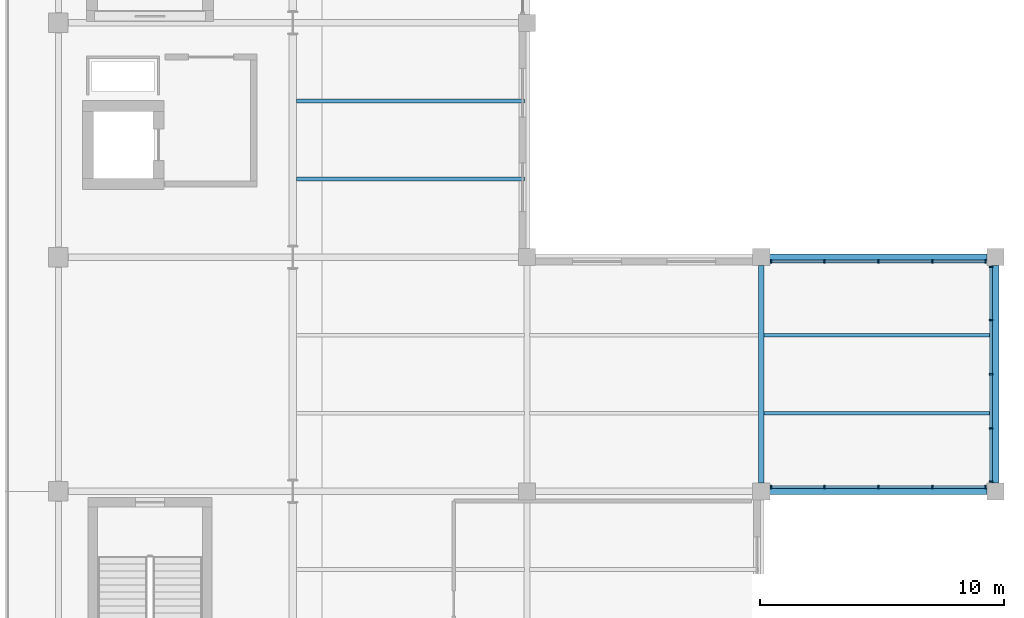
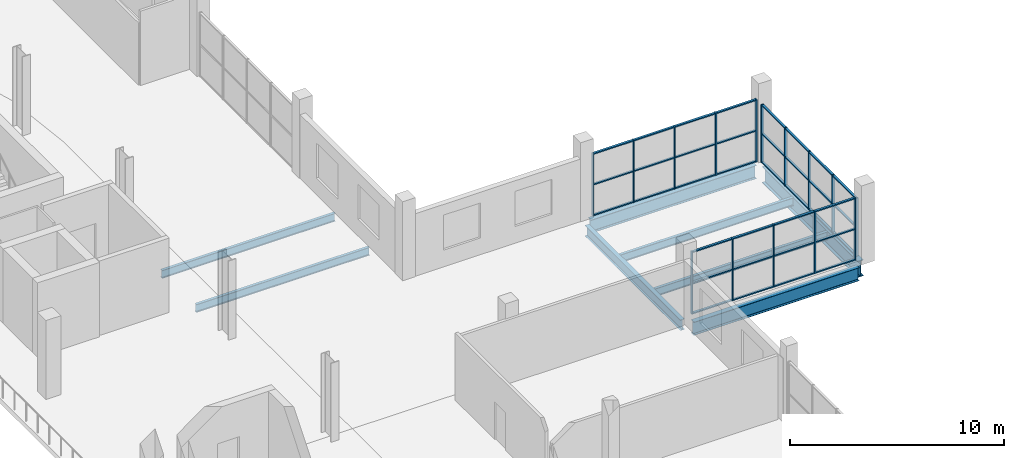
# One storey, part 24 of 75: 51 members, 8 beams, 3 elements without a shape of their own.
"""IFC4 building model written with IfcOpenShell, lengths in metres."""

import ifcopenshell
import ifcopenshell.guid

model = None  # the IFC model being written
_history = None  # IfcOwnerHistory: only IFC2X3 demands one
_inside = {}  # id of a spatial element -> (the spatial element, [elements in it])
_under = {}  # id of a project, library or spatial element -> (it, [spatial elements below it])
_declared = {}  # id of a project -> (the project, [libraries it declares])
_typed = {}  # id of a type object -> (the type object, [elements of that type])
_made_of = {}  # id of a material, layer set ... -> (it, [elements and type objects made of it])


def new_model(schema):
    """Start an empty IFC model of exactly this schema.

    Asked for "IFC4X3", IfcOpenShell would pick the latest addendum, in which some entities
    have other attributes; the version numbers below select the first issue.
    IFC2X3 requires an IfcOwnerHistory on every rooted entity: one is made here for all.
    """
    global model, _history
    if schema == "IFC4X3":
        model = ifcopenshell.file(schema_version=(4, 3, 0, 0))
    else:
        model = ifcopenshell.file(schema=schema)
    _inside.clear()
    _under.clear()
    _declared.clear()
    _typed.clear()
    _made_of.clear()
    _history = None
    if model.schema == "IFC2X3":
        org = make("IfcOrganization", Name="unknown")
        user = make(
            "IfcPersonAndOrganization",
            ThePerson=make("IfcPerson", FamilyName="unknown"),
            TheOrganization=org,
        )
        app = make(
            "IfcApplication",
            ApplicationDeveloper=org,
            Version="unknown",
            ApplicationFullName="unknown",
            ApplicationIdentifier="unknown",
        )
        _history = make(
            "IfcOwnerHistory",
            OwningUser=user,
            OwningApplication=app,
            ChangeAction="ADDED",
            CreationDate=0,
        )
    return model


def make(cls, **values):
    """One entity of the class cls with the attributes given. An attribute that is None is left unset."""
    return model.create_entity(
        cls, **{name: value for name, value in values.items() if value is not None}
    )


def rooted(cls, **values):
    """An entity with a GlobalId (a new one), such as an element, a storey or a relation."""
    return make(cls, GlobalId=ifcopenshell.guid.new(), OwnerHistory=_history, **values)


def si_unit(unit_type, name, prefix=None):
    """IfcSIUnit, for example si_unit("LENGTHUNIT", "METRE", prefix="MILLI")."""
    return make("IfcSIUnit", UnitType=unit_type, Prefix=prefix, Name=name)


def assignment(units):
    """IfcUnitAssignment: the units of a project."""
    return None if units is None else make("IfcUnitAssignment", Units=units)


def point(xyz):
    """IfcCartesianPoint."""
    return None if xyz is None else make("IfcCartesianPoint", Coordinates=xyz)


def direction(xyz):
    """IfcDirection."""
    return None if xyz is None else make("IfcDirection", DirectionRatios=xyz)


def frame(location, z_axis=None, x_axis=None):
    """IfcAxis2Placement3D, a coordinate frame: its origin and axes. An axis left out is left unset."""
    return make(
        "IfcAxis2Placement3D",
        Location=point(location),
        Axis=direction(z_axis),
        RefDirection=direction(x_axis),
    )


def frame_2d(location, x_axis=None):
    """IfcAxis2Placement2D, a coordinate frame in the plane: its origin and x axis."""
    return make(
        "IfcAxis2Placement2D", Location=point(location), RefDirection=direction(x_axis)
    )


def origin():
    """The frame at (0, 0, 0) with its axes left unset."""
    return frame((0.0, 0.0, 0.0))


def origin_2d():
    """The frame at (0, 0) in the plane with its x axis left unset."""
    return frame_2d((0.0, 0.0))


def place(relative_to, where):
    """IfcLocalPlacement: puts the frame where relative to a parent placement (None: the world)."""
    return make(
        "IfcLocalPlacement", PlacementRelTo=relative_to, RelativePlacement=where
    )


def context(
    kind, dimensions, precision=None, world=None, true_north=None, identifier=None
):
    """IfcGeometricRepresentationContext, for example the 3D "Model" context."""
    return make(
        "IfcGeometricRepresentationContext",
        ContextIdentifier=identifier,
        ContextType=kind,
        CoordinateSpaceDimension=dimensions,
        Precision=precision,
        WorldCoordinateSystem=world,
        TrueNorth=true_north,
    )


def subcontext(parent, identifier, kind, view, scale=None):
    """IfcGeometricRepresentationSubContext, for example "Body" below "Model"."""
    return make(
        "IfcGeometricRepresentationSubContext",
        ContextIdentifier=identifier,
        ContextType=kind,
        ParentContext=parent,
        TargetScale=scale,
        TargetView=view,
    )


def project(units=None, contexts=None):
    """IfcProject with its units and contexts."""
    return rooted(
        "IfcProject",
        Name="project",
        RepresentationContexts=contexts,
        UnitsInContext=assignment(units),
    )


def spatial(cls, under=None, at=None, **own):
    """A site, building, storey or space (cls), placed at a placement, below another one or the project."""
    s = rooted(cls, ObjectPlacement=at, **own)
    if under is not None:
        _under.setdefault(under.id(), (under, []))[1].append(s)
    return s


def profile(cls, at=None, kind="AREA", **sizes):
    """A parametric profile (cls). Its sizes go by their IFC names, for example OverallWidth=200.0."""
    return make(cls, ProfileType=kind, Position=at, **sizes)


def rectangle(**sizes):
    """IfcRectangleProfileDef."""
    return profile("IfcRectangleProfileDef", **sizes)


def i_section(**sizes):
    """IfcIShapeProfileDef."""
    return profile("IfcIShapeProfileDef", **sizes)


def extrude(swept, where, along, depth):
    """IfcExtrudedAreaSolid: the profile swept, set in the frame where, extruded along a direction by depth."""
    return make(
        "IfcExtrudedAreaSolid",
        SweptArea=swept,
        Position=where,
        ExtrudedDirection=direction(along),
        Depth=depth,
    )


def shape(context_of_items, identifier, shape_type, items):
    """IfcShapeRepresentation: the items that make up one representation, for example the "Body"."""
    return make(
        "IfcShapeRepresentation",
        ContextOfItems=context_of_items,
        RepresentationIdentifier=identifier,
        RepresentationType=shape_type,
        Items=items,
    )


def material(Name=None, Category=None):
    """IfcMaterial."""
    return make("IfcMaterial", Name=Name, Category=Category)


def layer(
    of_material, thickness, ventilated=None, Name=None, Category=None, Priority=None
):
    """IfcMaterialLayer: one layer of a wall or slab, of a material (None: an air gap)."""
    return make(
        "IfcMaterialLayer",
        Material=of_material,
        LayerThickness=thickness,
        IsVentilated=ventilated,
        Name=Name,
        Category=Category,
        Priority=Priority,
    )


def layer_set(layers, Name=None):
    """IfcMaterialLayerSet."""
    return make("IfcMaterialLayerSet", MaterialLayers=layers, LayerSetName=Name)


def material_profile(
    of_material, cross_section, Name=None, Category=None, Priority=None
):
    """IfcMaterialProfile: a cross section and its material."""
    return make(
        "IfcMaterialProfile",
        Name=Name,
        Material=of_material,
        Profile=cross_section,
        Priority=Priority,
        Category=Category,
    )


def profile_set(profiles, Name=None, composite=None):
    """IfcMaterialProfileSet."""
    return make(
        "IfcMaterialProfileSet",
        Name=Name,
        MaterialProfiles=profiles,
        CompositeProfile=composite,
    )


def made_of(thing, what):
    """Note that an element or type object is made of a material, layer set ...; save() writes the relation."""
    if what is not None:
        _made_of.setdefault(what.id(), (what, []))[1].append(thing)
    return thing


def type_object(cls, material=None, **own):
    """A type object (cls), such as IfcWallType, which elements share."""
    return made_of(rooted(cls, **own), material)


def element(
    cls,
    number,
    at=None,
    inside=None,
    cuts=None,
    type_object=None,
    material=None,
    context=None,
    identifier="Body",
    shape_type=None,
    held_by="IfcProductDefinitionShape",
    body=None,
    shapes=None,
    **own,
):
    """One element of the class cls, such as IfcWall. Its Tag is "e" and its number.

    at: its placement. inside: the storey or other place that contains it. cuts: it is an
    opening in that element (IfcRelVoidsElement). A single representation is given by context,
    identifier, shape_type and body (its items); several are given by shapes. held_by: the class
    of the entity that holds the representations. save() writes the other relations.
    """
    e = rooted(cls, Tag="e%d" % number, ObjectPlacement=at, **own)
    if body is not None:
        shapes = [shape(context, identifier, shape_type, body)]
    if shapes is not None:
        e.Representation = make(held_by, Representations=shapes)
    if inside is not None:
        _inside.setdefault(inside.id(), (inside, []))[1].append(e)
    if cuts is not None:
        rooted(
            "IfcRelVoidsElement", RelatingBuildingElement=cuts, RelatedOpeningElement=e
        )
    if type_object is not None:
        _typed.setdefault(type_object.id(), (type_object, []))[1].append(e)
    return made_of(e, material)


def aggregate(whole, parts):
    """IfcRelAggregates: a whole, such as a stair, and the parts it consists of."""
    return rooted("IfcRelAggregates", RelatingObject=whole, RelatedObjects=parts)


def save(model, path):
    """Write the relations noted so far, then the file.

    IfcRelAggregates (storeys below a building ...), IfcRelContainedInSpatialStructure (elements
    in a storey), IfcRelDefinesByType, IfcRelAssociatesMaterial and IfcRelDeclares: one each for
    every whole, place, type object, material and project.
    """
    for whole, parts in _under.values():
        aggregate(whole, parts)
    for where, things in _inside.values():
        rooted(
            "IfcRelContainedInSpatialStructure",
            RelatedElements=things,
            RelatingStructure=where,
        )
    for kind, things in _typed.values():
        rooted("IfcRelDefinesByType", RelatedObjects=things, RelatingType=kind)
    for what, things in _made_of.values():
        rooted("IfcRelAssociatesMaterial", RelatedObjects=things, RelatingMaterial=what)
    for by, libraries in _declared.values():
        rooted("IfcRelDeclares", RelatingContext=by, RelatedDefinitions=libraries)
    model.write(path)


model = new_model("IFC4")

# Units and contexts
model_context = context("Model", 3, precision=1e-05, world=origin(), true_north=direction((0.0, 1.0)))
body_context = subcontext(model_context, "Body", "Model", "MODEL_VIEW")
ifc_project = project(units=[si_unit("LENGTHUNIT", "METRE"), si_unit("AREAUNIT", "SQUARE_METRE"), si_unit("VOLUMEUNIT", "CUBIC_METRE"), si_unit("PLANEANGLEUNIT", "RADIAN"), si_unit("MASSUNIT", "GRAM", prefix="KILO")], contexts=[model_context])

# Site, building, storey
site_placement = place(None, origin())
site = spatial("IfcSite", under=ifc_project, at=site_placement, CompositionType="ELEMENT")
building_placement = place(site_placement, origin())
building = spatial("IfcBuilding", under=site, at=building_placement, Name="Caelomonte Colonnade Arena", CompositionType="ELEMENT")
storey_placement = place(building_placement, frame((0.0, 0.0, 14.10009765625)))
storey = spatial("IfcBuildingStorey", under=building, at=storey_placement, Name="L03", CompositionType="ELEMENT", Elevation=14.10009765625)

# Curtain wall, members
ifc_material_1 = material(Name="Bronze anodised aluminium and low-E glazing", Category="aluminium")
ifc_layer_1 = layer(ifc_material_1, 0.179931640625)
ifc_layer_set_1 = layer_set([ifc_layer_1], Name="Bronze anodised aluminium and low-E glazing")
curtain_wall_type_1 = type_object("IfcCurtainWallType", Name="ENV-CW-CW-L03-96-36", PredefinedType="USERDEFINED", material=ifc_layer_set_1)
curtain_wall_1_placement = place(storey_placement, origin())
curtain_wall_1 = element("IfcCurtainWall", 1, at=curtain_wall_1_placement, inside=storey, type_object=curtain_wall_type_1, Name="L03 unitized curtain wall CW-L03-1872-0674", ObjectType="UNITIZED CURTAIN WALL", PredefinedType="USERDEFINED")
ifc_material_2 = material(Name="Bronze anodised aluminium AA6063-T6", Category="aluminium")
ifc_material_profile_1 = material_profile(ifc_material_2, rectangle(XDim=0.06494140625, YDim=0.14990234375, at=origin_2d()), Name="CWM-65X150")
ifc_profile_set_1 = profile_set([ifc_material_profile_1], Name="Bronze anodised aluminium AA6063-T6")
member_type_1 = type_object("IfcMemberType", Name="ENV-CW-MULL2", PredefinedType="MULLION", material=ifc_profile_set_1)
member_1_placement = place(storey_placement, frame((182.802490234375, 67.3798828125, 0.0), z_axis=(0.0, 0.0, 1.0), x_axis=(1.0, 0.0, 0.0)))
member_1 = element("IfcMember", 2, at=member_1_placement, type_object=member_type_1, Name="CW-L03-96-36 mullion 1", PredefinedType="MULLION", context=body_context, shape_type="SweptSolid", body=[
    extrude(rectangle(XDim=0.06494140625, YDim=0.14990234375, at=origin_2d()), origin(), (0.0, 0.0, 1.0), 3.556396484375),
])
member_2_placement = place(storey_placement, frame((184.985107421875, 67.3798828125, 0.0), z_axis=(0.0, 0.0, 1.0), x_axis=(1.0, 0.0, 0.0)))
member_2 = element("IfcMember", 3, at=member_2_placement, type_object=member_type_1, Name="CW-L03-96-36 mullion 2", PredefinedType="MULLION", context=body_context, shape_type="SweptSolid", body=[
    extrude(rectangle(XDim=0.06494140625, YDim=0.14990234375, at=origin_2d()), origin(), (0.0, 0.0, 1.0), 3.556396484375),
])
member_3_placement = place(storey_placement, frame((187.199951171875, 67.3798828125, 0.0), z_axis=(0.0, 0.0, 1.0), x_axis=(1.0, 0.0, 0.0)))
member_3 = element("IfcMember", 4, at=member_3_placement, type_object=member_type_1, Name="CW-L03-96-36 mullion 3", PredefinedType="MULLION", context=body_context, shape_type="SweptSolid", body=[
    extrude(rectangle(XDim=0.06494140625, YDim=0.14990234375, at=origin_2d()), origin(), (0.0, 0.0, 1.0), 3.556396484375),
])
member_4_placement = place(storey_placement, frame((189.4150390625, 67.3798828125, 0.0), z_axis=(0.0, 0.0, 1.0), x_axis=(1.0, 0.0, 0.0)))
member_4 = element("IfcMember", 5, at=member_4_placement, type_object=member_type_1, Name="CW-L03-96-36 mullion 4", PredefinedType="MULLION", context=body_context, shape_type="SweptSolid", body=[
    extrude(rectangle(XDim=0.06494140625, YDim=0.14990234375, at=origin_2d()), origin(), (0.0, 0.0, 1.0), 3.556396484375),
])
member_5_placement = place(storey_placement, frame((191.597412109375, 67.3798828125, 0.0), z_axis=(0.0, 0.0, 1.0), x_axis=(1.0, 0.0, 0.0)))
member_5 = element("IfcMember", 6, at=member_5_placement, type_object=member_type_1, Name="CW-L03-96-36 mullion 5", PredefinedType="MULLION", context=body_context, shape_type="SweptSolid", body=[
    extrude(rectangle(XDim=0.06494140625, YDim=0.14990234375, at=origin_2d()), origin(), (0.0, 0.0, 1.0), 3.556396484375),
])

ifc_layer_2 = layer(ifc_material_1, 0.179931640625)
ifc_layer_set_2 = layer_set([ifc_layer_2], Name="Bronze anodised aluminium and low-E glazing")
curtain_wall_type_2 = type_object("IfcCurtainWallType", Name="ENV-CW-CW-L03-96-33", PredefinedType="USERDEFINED", material=ifc_layer_set_2)
curtain_wall_2_placement = place(storey_placement, origin())
curtain_wall_2 = element("IfcCurtainWall", 7, at=curtain_wall_2_placement, inside=storey, type_object=curtain_wall_type_2, Name="L03 unitized curtain wall CW-L03-1918-0720", ObjectType="UNITIZED CURTAIN WALL", PredefinedType="USERDEFINED")
member_6_placement = place(storey_placement, frame((191.820068359375, 67.6025390625, 0.0), z_axis=(0.0, 0.0, 1.0), x_axis=(0.0, 1.0, 0.0)))
member_6 = element("IfcMember", 8, at=member_6_placement, type_object=member_type_1, Name="CW-L03-96-33 mullion 1", PredefinedType="MULLION", context=body_context, shape_type="SweptSolid", body=[
    extrude(rectangle(XDim=0.06494140625, YDim=0.14990234375, at=origin_2d()), origin(), (0.0, 0.0, 1.0), 3.312744140625),
])
member_7_placement = place(storey_placement, frame((191.820068359375, 69.784912109375, 0.0), z_axis=(0.0, 0.0, 1.0), x_axis=(0.0, 1.0, 0.0)))
member_7 = element("IfcMember", 9, at=member_7_placement, type_object=member_type_1, Name="CW-L03-96-33 mullion 2", PredefinedType="MULLION", context=body_context, shape_type="SweptSolid", body=[
    extrude(rectangle(XDim=0.06494140625, YDim=0.14990234375, at=origin_2d()), origin(), (0.0, 0.0, 1.0), 3.312744140625),
])
member_8_placement = place(storey_placement, frame((191.820068359375, 72.0, 0.0), z_axis=(0.0, 0.0, 1.0), x_axis=(0.0, 1.0, 0.0)))
member_8 = element("IfcMember", 10, at=member_8_placement, type_object=member_type_1, Name="CW-L03-96-33 mullion 3", PredefinedType="MULLION", context=body_context, shape_type="SweptSolid", body=[
    extrude(rectangle(XDim=0.06494140625, YDim=0.14990234375, at=origin_2d()), origin(), (0.0, 0.0, 1.0), 3.312744140625),
])
member_9_placement = place(storey_placement, frame((191.820068359375, 74.215087890625, 0.0), z_axis=(0.0, 0.0, 1.0), x_axis=(0.0, 1.0, 0.0)))
member_9 = element("IfcMember", 11, at=member_9_placement, type_object=member_type_1, Name="CW-L03-96-33 mullion 4", PredefinedType="MULLION", context=body_context, shape_type="SweptSolid", body=[
    extrude(rectangle(XDim=0.06494140625, YDim=0.14990234375, at=origin_2d()), origin(), (0.0, 0.0, 1.0), 3.312744140625),
])
member_10_placement = place(storey_placement, frame((191.820068359375, 76.3974609375, 0.0), z_axis=(0.0, 0.0, 1.0), x_axis=(0.0, 1.0, 0.0)))
member_10 = element("IfcMember", 12, at=member_10_placement, type_object=member_type_1, Name="CW-L03-96-33 mullion 5", PredefinedType="MULLION", context=body_context, shape_type="SweptSolid", body=[
    extrude(rectangle(XDim=0.06494140625, YDim=0.14990234375, at=origin_2d()), origin(), (0.0, 0.0, 1.0), 3.312744140625),
])

curtain_wall_3_placement = place(storey_placement, origin())
curtain_wall_3 = element("IfcCurtainWall", 13, at=curtain_wall_3_placement, inside=storey, type_object=curtain_wall_type_1, Name="L03 unitized curtain wall CW-L03-1872-0766", ObjectType="UNITIZED CURTAIN WALL", PredefinedType="USERDEFINED")
member_11_placement = place(storey_placement, frame((191.597412109375, 76.6201171875, 0.0), z_axis=(0.0, 0.0, 1.0), x_axis=(-1.0, 0.0, 0.0)))
member_11 = element("IfcMember", 14, at=member_11_placement, type_object=member_type_1, Name="CW-L03-96-36 mullion 1", PredefinedType="MULLION", context=body_context, shape_type="SweptSolid", body=[
    extrude(rectangle(XDim=0.06494140625, YDim=0.14990234375, at=origin_2d()), origin(), (0.0, 0.0, 1.0), 3.556396484375),
])
member_12_placement = place(storey_placement, frame((189.4150390625, 76.6201171875, 0.0), z_axis=(0.0, 0.0, 1.0), x_axis=(-1.0, 0.0, 0.0)))
member_12 = element("IfcMember", 15, at=member_12_placement, type_object=member_type_1, Name="CW-L03-96-36 mullion 2", PredefinedType="MULLION", context=body_context, shape_type="SweptSolid", body=[
    extrude(rectangle(XDim=0.06494140625, YDim=0.14990234375, at=origin_2d()), origin(), (0.0, 0.0, 1.0), 3.556396484375),
])
member_13_placement = place(storey_placement, frame((187.199951171875, 76.6201171875, 0.0), z_axis=(0.0, 0.0, 1.0), x_axis=(-1.0, 0.0, 0.0)))
member_13 = element("IfcMember", 16, at=member_13_placement, type_object=member_type_1, Name="CW-L03-96-36 mullion 3", PredefinedType="MULLION", context=body_context, shape_type="SweptSolid", body=[
    extrude(rectangle(XDim=0.06494140625, YDim=0.14990234375, at=origin_2d()), origin(), (0.0, 0.0, 1.0), 3.556396484375),
])
member_14_placement = place(storey_placement, frame((184.985107421875, 76.6201171875, 0.0), z_axis=(0.0, 0.0, 1.0), x_axis=(-1.0, 0.0, 0.0)))
member_14 = element("IfcMember", 17, at=member_14_placement, type_object=member_type_1, Name="CW-L03-96-36 mullion 4", PredefinedType="MULLION", context=body_context, shape_type="SweptSolid", body=[
    extrude(rectangle(XDim=0.06494140625, YDim=0.14990234375, at=origin_2d()), origin(), (0.0, 0.0, 1.0), 3.556396484375),
])
member_15_placement = place(storey_placement, frame((182.802490234375, 76.6201171875, 0.0), z_axis=(0.0, 0.0, 1.0), x_axis=(-1.0, 0.0, 0.0)))
member_15 = element("IfcMember", 18, at=member_15_placement, type_object=member_type_1, Name="CW-L03-96-36 mullion 5", PredefinedType="MULLION", context=body_context, shape_type="SweptSolid", body=[
    extrude(rectangle(XDim=0.06494140625, YDim=0.14990234375, at=origin_2d()), origin(), (0.0, 0.0, 1.0), 3.556396484375),
])

# Member
ifc_material_profile_2 = material_profile(ifc_material_2, rectangle(XDim=0.06494140625, YDim=0.1201171875, at=origin_2d()), Name="CWT-65X120")
ifc_profile_set_2 = profile_set([ifc_material_profile_2], Name="Bronze anodised aluminium AA6063-T6")
member_type_2 = type_object("IfcMemberType", Name="ENV-CW-TRAN2", PredefinedType="USERDEFINED", material=ifc_profile_set_2)
member_16_placement = place(storey_placement, frame((182.8349609375, 67.3798828125, 0.032470703125), z_axis=(1.0, 0.0, 0.0), x_axis=(0.0, 0.0, 1.0)))
member_16 = element("IfcMember", 19, at=member_16_placement, type_object=member_type_2, Name="CW-L03-96-36 transom 1.1", ObjectType="TRANSOM", PredefinedType="USERDEFINED", context=body_context, shape_type="SweptSolid", body=[
    extrude(rectangle(XDim=0.06494140625, YDim=0.1201171875, at=origin_2d()), origin(), (0.0, 0.0, 1.0), 2.117431640625),
])

member_17_placement = place(storey_placement, frame((182.8349609375, 67.3798828125, 1.7783203125), z_axis=(1.0, 0.0, 0.0), x_axis=(0.0, 0.0, 1.0)))
member_17 = element("IfcMember", 20, at=member_17_placement, type_object=member_type_2, Name="CW-L03-96-36 transom 1.2", ObjectType="TRANSOM", PredefinedType="USERDEFINED", context=body_context, shape_type="SweptSolid", body=[
    extrude(rectangle(XDim=0.06494140625, YDim=0.1201171875, at=origin_2d()), origin(), (0.0, 0.0, 1.0), 2.117431640625),
])

member_18_placement = place(storey_placement, frame((182.8349609375, 67.3798828125, 3.52392578125), z_axis=(1.0, 0.0, 0.0), x_axis=(0.0, 0.0, 1.0)))
member_18 = element("IfcMember", 21, at=member_18_placement, type_object=member_type_2, Name="CW-L03-96-36 transom 1.3", ObjectType="TRANSOM", PredefinedType="USERDEFINED", context=body_context, shape_type="SweptSolid", body=[
    extrude(rectangle(XDim=0.06494140625, YDim=0.1201171875, at=origin_2d()), origin(), (0.0, 0.0, 1.0), 2.117431640625),
])

member_19_placement = place(storey_placement, frame((185.017578125, 67.3798828125, 0.032470703125), z_axis=(1.0, 0.0, 0.0), x_axis=(0.0, 0.0, 1.0)))
member_19 = element("IfcMember", 22, at=member_19_placement, type_object=member_type_2, Name="CW-L03-96-36 transom 2.1", ObjectType="TRANSOM", PredefinedType="USERDEFINED", context=body_context, shape_type="SweptSolid", body=[
    extrude(rectangle(XDim=0.06494140625, YDim=0.1201171875, at=origin_2d()), origin(), (0.0, 0.0, 1.0), 2.14990234375),
])

member_20_placement = place(storey_placement, frame((185.017578125, 67.3798828125, 1.7783203125), z_axis=(1.0, 0.0, 0.0), x_axis=(0.0, 0.0, 1.0)))
member_20 = element("IfcMember", 23, at=member_20_placement, type_object=member_type_2, Name="CW-L03-96-36 transom 2.2", ObjectType="TRANSOM", PredefinedType="USERDEFINED", context=body_context, shape_type="SweptSolid", body=[
    extrude(rectangle(XDim=0.06494140625, YDim=0.1201171875, at=origin_2d()), origin(), (0.0, 0.0, 1.0), 2.14990234375),
])

member_21_placement = place(storey_placement, frame((185.017578125, 67.3798828125, 3.52392578125), z_axis=(1.0, 0.0, 0.0), x_axis=(0.0, 0.0, 1.0)))
member_21 = element("IfcMember", 24, at=member_21_placement, type_object=member_type_2, Name="CW-L03-96-36 transom 2.3", ObjectType="TRANSOM", PredefinedType="USERDEFINED", context=body_context, shape_type="SweptSolid", body=[
    extrude(rectangle(XDim=0.06494140625, YDim=0.1201171875, at=origin_2d()), origin(), (0.0, 0.0, 1.0), 2.14990234375),
])

member_22_placement = place(storey_placement, frame((187.232421875, 67.3798828125, 0.032470703125), z_axis=(1.0, 0.0, 0.0), x_axis=(0.0, 0.0, 1.0)))
member_22 = element("IfcMember", 25, at=member_22_placement, type_object=member_type_2, Name="CW-L03-96-36 transom 3.1", ObjectType="TRANSOM", PredefinedType="USERDEFINED", context=body_context, shape_type="SweptSolid", body=[
    extrude(rectangle(XDim=0.06494140625, YDim=0.1201171875, at=origin_2d()), origin(), (0.0, 0.0, 1.0), 2.150146484375),
])

member_23_placement = place(storey_placement, frame((187.232421875, 67.3798828125, 1.7783203125), z_axis=(1.0, 0.0, 0.0), x_axis=(0.0, 0.0, 1.0)))
member_23 = element("IfcMember", 26, at=member_23_placement, type_object=member_type_2, Name="CW-L03-96-36 transom 3.2", ObjectType="TRANSOM", PredefinedType="USERDEFINED", context=body_context, shape_type="SweptSolid", body=[
    extrude(rectangle(XDim=0.06494140625, YDim=0.1201171875, at=origin_2d()), origin(), (0.0, 0.0, 1.0), 2.150146484375),
])

member_24_placement = place(storey_placement, frame((187.232421875, 67.3798828125, 3.52392578125), z_axis=(1.0, 0.0, 0.0), x_axis=(0.0, 0.0, 1.0)))
member_24 = element("IfcMember", 27, at=member_24_placement, type_object=member_type_2, Name="CW-L03-96-36 transom 3.3", ObjectType="TRANSOM", PredefinedType="USERDEFINED", context=body_context, shape_type="SweptSolid", body=[
    extrude(rectangle(XDim=0.06494140625, YDim=0.1201171875, at=origin_2d()), origin(), (0.0, 0.0, 1.0), 2.150146484375),
])

member_25_placement = place(storey_placement, frame((189.447509765625, 67.3798828125, 0.032470703125), z_axis=(1.0, 0.0, 0.0), x_axis=(0.0, 0.0, 1.0)))
member_25 = element("IfcMember", 28, at=member_25_placement, type_object=member_type_2, Name="CW-L03-96-36 transom 4.1", ObjectType="TRANSOM", PredefinedType="USERDEFINED", context=body_context, shape_type="SweptSolid", body=[
    extrude(rectangle(XDim=0.06494140625, YDim=0.1201171875, at=origin_2d()), origin(), (0.0, 0.0, 1.0), 2.117431640625),
])

member_26_placement = place(storey_placement, frame((189.447509765625, 67.3798828125, 1.7783203125), z_axis=(1.0, 0.0, 0.0), x_axis=(0.0, 0.0, 1.0)))
member_26 = element("IfcMember", 29, at=member_26_placement, type_object=member_type_2, Name="CW-L03-96-36 transom 4.2", ObjectType="TRANSOM", PredefinedType="USERDEFINED", context=body_context, shape_type="SweptSolid", body=[
    extrude(rectangle(XDim=0.06494140625, YDim=0.1201171875, at=origin_2d()), origin(), (0.0, 0.0, 1.0), 2.117431640625),
])

member_27_placement = place(storey_placement, frame((189.447509765625, 67.3798828125, 3.52392578125), z_axis=(1.0, 0.0, 0.0), x_axis=(0.0, 0.0, 1.0)))
member_27 = element("IfcMember", 30, at=member_27_placement, type_object=member_type_2, Name="CW-L03-96-36 transom 4.3", ObjectType="TRANSOM", PredefinedType="USERDEFINED", context=body_context, shape_type="SweptSolid", body=[
    extrude(rectangle(XDim=0.06494140625, YDim=0.1201171875, at=origin_2d()), origin(), (0.0, 0.0, 1.0), 2.117431640625),
])

aggregate(curtain_wall_1, [member_1, member_2, member_3, member_4, member_5, member_16, member_17, member_18, member_19, member_20, member_21, member_22, member_23, member_24, member_25, member_26, member_27])

member_28_placement = place(storey_placement, frame((191.820068359375, 67.635009765625, 0.032470703125), z_axis=(0.0, 1.0, 0.0), x_axis=(0.0, 0.0, 1.0)))
member_28 = element("IfcMember", 31, at=member_28_placement, type_object=member_type_2, Name="CW-L03-96-33 transom 1.1", ObjectType="TRANSOM", PredefinedType="USERDEFINED", context=body_context, shape_type="SweptSolid", body=[
    extrude(rectangle(XDim=0.06494140625, YDim=0.1201171875, at=origin_2d()), origin(), (0.0, 0.0, 1.0), 2.117431640625),
])

member_29_placement = place(storey_placement, frame((191.820068359375, 67.635009765625, 1.65625), z_axis=(0.0, 1.0, 0.0), x_axis=(0.0, 0.0, 1.0)))
member_29 = element("IfcMember", 32, at=member_29_placement, type_object=member_type_2, Name="CW-L03-96-33 transom 1.2", ObjectType="TRANSOM", PredefinedType="USERDEFINED", context=body_context, shape_type="SweptSolid", body=[
    extrude(rectangle(XDim=0.06494140625, YDim=0.1201171875, at=origin_2d()), origin(), (0.0, 0.0, 1.0), 2.117431640625),
])

member_30_placement = place(storey_placement, frame((191.820068359375, 67.635009765625, 3.2802734375), z_axis=(0.0, 1.0, 0.0), x_axis=(0.0, 0.0, 1.0)))
member_30 = element("IfcMember", 33, at=member_30_placement, type_object=member_type_2, Name="CW-L03-96-33 transom 1.3", ObjectType="TRANSOM", PredefinedType="USERDEFINED", context=body_context, shape_type="SweptSolid", body=[
    extrude(rectangle(XDim=0.06494140625, YDim=0.1201171875, at=origin_2d()), origin(), (0.0, 0.0, 1.0), 2.117431640625),
])

member_31_placement = place(storey_placement, frame((191.820068359375, 69.8173828125, 0.032470703125), z_axis=(0.0, 1.0, 0.0), x_axis=(0.0, 0.0, 1.0)))
member_31 = element("IfcMember", 34, at=member_31_placement, type_object=member_type_2, Name="CW-L03-96-33 transom 2.1", ObjectType="TRANSOM", PredefinedType="USERDEFINED", context=body_context, shape_type="SweptSolid", body=[
    extrude(rectangle(XDim=0.06494140625, YDim=0.1201171875, at=origin_2d()), origin(), (0.0, 0.0, 1.0), 2.150146484375),
])

member_32_placement = place(storey_placement, frame((191.820068359375, 69.8173828125, 1.65625), z_axis=(0.0, 1.0, 0.0), x_axis=(0.0, 0.0, 1.0)))
member_32 = element("IfcMember", 35, at=member_32_placement, type_object=member_type_2, Name="CW-L03-96-33 transom 2.2", ObjectType="TRANSOM", PredefinedType="USERDEFINED", context=body_context, shape_type="SweptSolid", body=[
    extrude(rectangle(XDim=0.06494140625, YDim=0.1201171875, at=origin_2d()), origin(), (0.0, 0.0, 1.0), 2.150146484375),
])

member_33_placement = place(storey_placement, frame((191.820068359375, 69.8173828125, 3.2802734375), z_axis=(0.0, 1.0, 0.0), x_axis=(0.0, 0.0, 1.0)))
member_33 = element("IfcMember", 36, at=member_33_placement, type_object=member_type_2, Name="CW-L03-96-33 transom 2.3", ObjectType="TRANSOM", PredefinedType="USERDEFINED", context=body_context, shape_type="SweptSolid", body=[
    extrude(rectangle(XDim=0.06494140625, YDim=0.1201171875, at=origin_2d()), origin(), (0.0, 0.0, 1.0), 2.150146484375),
])

member_34_placement = place(storey_placement, frame((191.820068359375, 72.032470703125, 0.032470703125), z_axis=(0.0, 1.0, 0.0), x_axis=(0.0, 0.0, 1.0)))
member_34 = element("IfcMember", 37, at=member_34_placement, type_object=member_type_2, Name="CW-L03-96-33 transom 3.1", ObjectType="TRANSOM", PredefinedType="USERDEFINED", context=body_context, shape_type="SweptSolid", body=[
    extrude(rectangle(XDim=0.06494140625, YDim=0.1201171875, at=origin_2d()), origin(), (0.0, 0.0, 1.0), 2.150146484375),
])

member_35_placement = place(storey_placement, frame((191.820068359375, 72.032470703125, 1.65625), z_axis=(0.0, 1.0, 0.0), x_axis=(0.0, 0.0, 1.0)))
member_35 = element("IfcMember", 38, at=member_35_placement, type_object=member_type_2, Name="CW-L03-96-33 transom 3.2", ObjectType="TRANSOM", PredefinedType="USERDEFINED", context=body_context, shape_type="SweptSolid", body=[
    extrude(rectangle(XDim=0.06494140625, YDim=0.1201171875, at=origin_2d()), origin(), (0.0, 0.0, 1.0), 2.150146484375),
])

member_36_placement = place(storey_placement, frame((191.820068359375, 72.032470703125, 3.2802734375), z_axis=(0.0, 1.0, 0.0), x_axis=(0.0, 0.0, 1.0)))
member_36 = element("IfcMember", 39, at=member_36_placement, type_object=member_type_2, Name="CW-L03-96-33 transom 3.3", ObjectType="TRANSOM", PredefinedType="USERDEFINED", context=body_context, shape_type="SweptSolid", body=[
    extrude(rectangle(XDim=0.06494140625, YDim=0.1201171875, at=origin_2d()), origin(), (0.0, 0.0, 1.0), 2.150146484375),
])

member_37_placement = place(storey_placement, frame((191.820068359375, 74.24755859375, 0.032470703125), z_axis=(0.0, 1.0, 0.0), x_axis=(0.0, 0.0, 1.0)))
member_37 = element("IfcMember", 40, at=member_37_placement, type_object=member_type_2, Name="CW-L03-96-33 transom 4.1", ObjectType="TRANSOM", PredefinedType="USERDEFINED", context=body_context, shape_type="SweptSolid", body=[
    extrude(rectangle(XDim=0.06494140625, YDim=0.1201171875, at=origin_2d()), origin(), (0.0, 0.0, 1.0), 2.117431640625),
])

member_38_placement = place(storey_placement, frame((191.820068359375, 74.24755859375, 1.65625), z_axis=(0.0, 1.0, 0.0), x_axis=(0.0, 0.0, 1.0)))
member_38 = element("IfcMember", 41, at=member_38_placement, type_object=member_type_2, Name="CW-L03-96-33 transom 4.2", ObjectType="TRANSOM", PredefinedType="USERDEFINED", context=body_context, shape_type="SweptSolid", body=[
    extrude(rectangle(XDim=0.06494140625, YDim=0.1201171875, at=origin_2d()), origin(), (0.0, 0.0, 1.0), 2.117431640625),
])

member_39_placement = place(storey_placement, frame((191.820068359375, 74.24755859375, 3.2802734375), z_axis=(0.0, 1.0, 0.0), x_axis=(0.0, 0.0, 1.0)))
member_39 = element("IfcMember", 42, at=member_39_placement, type_object=member_type_2, Name="CW-L03-96-33 transom 4.3", ObjectType="TRANSOM", PredefinedType="USERDEFINED", context=body_context, shape_type="SweptSolid", body=[
    extrude(rectangle(XDim=0.06494140625, YDim=0.1201171875, at=origin_2d()), origin(), (0.0, 0.0, 1.0), 2.117431640625),
])

aggregate(curtain_wall_2, [member_6, member_7, member_8, member_9, member_10, member_28, member_29, member_30, member_31, member_32, member_33, member_34, member_35, member_36, member_37, member_38, member_39])

member_40_placement = place(storey_placement, frame((191.56494140625, 76.6201171875, 0.032470703125), z_axis=(-1.0, 0.0, 0.0), x_axis=(0.0, 0.0, 1.0)))
member_40 = element("IfcMember", 43, at=member_40_placement, type_object=member_type_2, Name="CW-L03-96-36 transom 1.1", ObjectType="TRANSOM", PredefinedType="USERDEFINED", context=body_context, shape_type="SweptSolid", body=[
    extrude(rectangle(XDim=0.06494140625, YDim=0.1201171875, at=origin_2d()), origin(), (0.0, 0.0, 1.0), 2.117431640625),
])

member_41_placement = place(storey_placement, frame((191.56494140625, 76.6201171875, 1.7783203125), z_axis=(-1.0, 0.0, 0.0), x_axis=(0.0, 0.0, 1.0)))
member_41 = element("IfcMember", 44, at=member_41_placement, type_object=member_type_2, Name="CW-L03-96-36 transom 1.2", ObjectType="TRANSOM", PredefinedType="USERDEFINED", context=body_context, shape_type="SweptSolid", body=[
    extrude(rectangle(XDim=0.06494140625, YDim=0.1201171875, at=origin_2d()), origin(), (0.0, 0.0, 1.0), 2.117431640625),
])

member_42_placement = place(storey_placement, frame((191.56494140625, 76.6201171875, 3.52392578125), z_axis=(-1.0, 0.0, 0.0), x_axis=(0.0, 0.0, 1.0)))
member_42 = element("IfcMember", 45, at=member_42_placement, type_object=member_type_2, Name="CW-L03-96-36 transom 1.3", ObjectType="TRANSOM", PredefinedType="USERDEFINED", context=body_context, shape_type="SweptSolid", body=[
    extrude(rectangle(XDim=0.06494140625, YDim=0.1201171875, at=origin_2d()), origin(), (0.0, 0.0, 1.0), 2.117431640625),
])

member_43_placement = place(storey_placement, frame((189.382568359375, 76.6201171875, 0.032470703125), z_axis=(-1.0, 0.0, 0.0), x_axis=(0.0, 0.0, 1.0)))
member_43 = element("IfcMember", 46, at=member_43_placement, type_object=member_type_2, Name="CW-L03-96-36 transom 2.1", ObjectType="TRANSOM", PredefinedType="USERDEFINED", context=body_context, shape_type="SweptSolid", body=[
    extrude(rectangle(XDim=0.06494140625, YDim=0.1201171875, at=origin_2d()), origin(), (0.0, 0.0, 1.0), 2.150146484375),
])

member_44_placement = place(storey_placement, frame((189.382568359375, 76.6201171875, 1.7783203125), z_axis=(-1.0, 0.0, 0.0), x_axis=(0.0, 0.0, 1.0)))
member_44 = element("IfcMember", 47, at=member_44_placement, type_object=member_type_2, Name="CW-L03-96-36 transom 2.2", ObjectType="TRANSOM", PredefinedType="USERDEFINED", context=body_context, shape_type="SweptSolid", body=[
    extrude(rectangle(XDim=0.06494140625, YDim=0.1201171875, at=origin_2d()), origin(), (0.0, 0.0, 1.0), 2.150146484375),
])

member_45_placement = place(storey_placement, frame((189.382568359375, 76.6201171875, 3.52392578125), z_axis=(-1.0, 0.0, 0.0), x_axis=(0.0, 0.0, 1.0)))
member_45 = element("IfcMember", 48, at=member_45_placement, type_object=member_type_2, Name="CW-L03-96-36 transom 2.3", ObjectType="TRANSOM", PredefinedType="USERDEFINED", context=body_context, shape_type="SweptSolid", body=[
    extrude(rectangle(XDim=0.06494140625, YDim=0.1201171875, at=origin_2d()), origin(), (0.0, 0.0, 1.0), 2.150146484375),
])

member_46_placement = place(storey_placement, frame((187.16748046875, 76.6201171875, 0.032470703125), z_axis=(-1.0, 0.0, 0.0), x_axis=(0.0, 0.0, 1.0)))
member_46 = element("IfcMember", 49, at=member_46_placement, type_object=member_type_2, Name="CW-L03-96-36 transom 3.1", ObjectType="TRANSOM", PredefinedType="USERDEFINED", context=body_context, shape_type="SweptSolid", body=[
    extrude(rectangle(XDim=0.06494140625, YDim=0.1201171875, at=origin_2d()), origin(), (0.0, 0.0, 1.0), 2.14990234375),
])

member_47_placement = place(storey_placement, frame((187.16748046875, 76.6201171875, 1.7783203125), z_axis=(-1.0, 0.0, 0.0), x_axis=(0.0, 0.0, 1.0)))
member_47 = element("IfcMember", 50, at=member_47_placement, type_object=member_type_2, Name="CW-L03-96-36 transom 3.2", ObjectType="TRANSOM", PredefinedType="USERDEFINED", context=body_context, shape_type="SweptSolid", body=[
    extrude(rectangle(XDim=0.06494140625, YDim=0.1201171875, at=origin_2d()), origin(), (0.0, 0.0, 1.0), 2.14990234375),
])

member_48_placement = place(storey_placement, frame((187.16748046875, 76.6201171875, 3.52392578125), z_axis=(-1.0, 0.0, 0.0), x_axis=(0.0, 0.0, 1.0)))
member_48 = element("IfcMember", 51, at=member_48_placement, type_object=member_type_2, Name="CW-L03-96-36 transom 3.3", ObjectType="TRANSOM", PredefinedType="USERDEFINED", context=body_context, shape_type="SweptSolid", body=[
    extrude(rectangle(XDim=0.06494140625, YDim=0.1201171875, at=origin_2d()), origin(), (0.0, 0.0, 1.0), 2.14990234375),
])

member_49_placement = place(storey_placement, frame((184.952392578125, 76.6201171875, 0.032470703125), z_axis=(-1.0, 0.0, 0.0), x_axis=(0.0, 0.0, 1.0)))
member_49 = element("IfcMember", 52, at=member_49_placement, type_object=member_type_2, Name="CW-L03-96-36 transom 4.1", ObjectType="TRANSOM", PredefinedType="USERDEFINED", context=body_context, shape_type="SweptSolid", body=[
    extrude(rectangle(XDim=0.06494140625, YDim=0.1201171875, at=origin_2d()), origin(), (0.0, 0.0, 1.0), 2.117431640625),
])

member_50_placement = place(storey_placement, frame((184.952392578125, 76.6201171875, 1.7783203125), z_axis=(-1.0, 0.0, 0.0), x_axis=(0.0, 0.0, 1.0)))
member_50 = element("IfcMember", 53, at=member_50_placement, type_object=member_type_2, Name="CW-L03-96-36 transom 4.2", ObjectType="TRANSOM", PredefinedType="USERDEFINED", context=body_context, shape_type="SweptSolid", body=[
    extrude(rectangle(XDim=0.06494140625, YDim=0.1201171875, at=origin_2d()), origin(), (0.0, 0.0, 1.0), 2.117431640625),
])

member_51_placement = place(storey_placement, frame((184.952392578125, 76.6201171875, 3.52392578125), z_axis=(-1.0, 0.0, 0.0), x_axis=(0.0, 0.0, 1.0)))
member_51 = element("IfcMember", 54, at=member_51_placement, type_object=member_type_2, Name="CW-L03-96-36 transom 4.3", ObjectType="TRANSOM", PredefinedType="USERDEFINED", context=body_context, shape_type="SweptSolid", body=[
    extrude(rectangle(XDim=0.06494140625, YDim=0.1201171875, at=origin_2d()), origin(), (0.0, 0.0, 1.0), 2.117431640625),
])

aggregate(curtain_wall_3, [member_11, member_12, member_13, member_14, member_15, member_40, member_41, member_42, member_43, member_44, member_45, member_46, member_47, member_48, member_49, member_50, member_51])

# Beams
ifc_material_3 = material(Name="Wide-flange steel ASTM A992 Grade 50", Category="steel")
ifc_material_profile_3 = material_profile(ifc_material_3, i_section(OverallWidth=0.307861328125, OverallDepth=0.927001953125, WebThickness=0.019287109375, FlangeThickness=0.031982421875, FilletRadius=0.020263671875, at=origin_2d()), Name="W36X194")
ifc_profile_set_3 = profile_set([ifc_material_profile_3], Name="Wide-flange steel ASTM A992 Grade 50")
beam_type_1 = type_object("IfcBeamType", Name="STR-BM-EAVES2", PredefinedType="SPANDREL", material=ifc_profile_set_3)
beam_1_placement = place(storey_placement, frame((192.0, 67.5419921875, -0.74365234375), z_axis=(0.0, 1.0, 0.0), x_axis=(-1.0, 0.0, 0.0)))
element("IfcBeam", 55, at=beam_1_placement, inside=storey, type_object=beam_type_1, Name="L03 girder BMY-L03-1920-0672", PredefinedType="SPANDREL", context=body_context, shape_type="SweptSolid", body=[
    extrude(i_section(OverallWidth=0.307861328125, OverallDepth=0.927001953125, WebThickness=0.019287109375, FlangeThickness=0.031982421875, FilletRadius=0.020263671875, at=origin_2d()), origin(), (0.0, 0.0, 1.0), 8.916015625),
])
ifc_material_profile_4 = material_profile(ifc_material_3, i_section(OverallWidth=0.228271484375, OverallDepth=0.607177734375, WebThickness=0.01123046875, FlangeThickness=0.017333984375, FilletRadius=0.0126953125, at=origin_2d()), Name="W24X76")
ifc_profile_set_4 = profile_set([ifc_material_profile_4], Name="Wide-flange steel ASTM A992 Grade 50")
beam_type_2 = type_object("IfcBeamType", Name="STR-BM-GIRD24", PredefinedType="BEAM", material=ifc_profile_set_4)
beam_2_placement = place(storey_placement, frame((182.39990234375, 67.5419921875, -0.58349609375), z_axis=(0.0, 1.0, 0.0), x_axis=(-1.0, 0.0, 0.0)))
element("IfcBeam", 56, at=beam_2_placement, inside=storey, type_object=beam_type_2, Name="L03 girder BMY-L03-1824-0672", PredefinedType="BEAM", context=body_context, shape_type="SweptSolid", body=[
    extrude(i_section(OverallWidth=0.228271484375, OverallDepth=0.607177734375, WebThickness=0.01123046875, FlangeThickness=0.017333984375, FilletRadius=0.0126953125, at=origin_2d()), origin(), (0.0, 0.0, 1.0), 8.916015625),
])
ifc_material_profile_5 = material_profile(ifc_material_3, i_section(OverallWidth=0.265380859375, OverallDepth=0.75439453125, WebThickness=0.01318359375, FlangeThickness=0.01708984375, FilletRadius=0.0166015625, at=origin_2d()), Name="W30X99")
ifc_profile_set_5 = profile_set([ifc_material_profile_5], Name="Wide-flange steel ASTM A992 Grade 50")
beam_type_3 = type_object("IfcBeamType", Name="STR-BM-GIRD30B", PredefinedType="BEAM", material=ifc_profile_set_5)
for number, where, z_axis, x_axis, name in (
    (57, (182.741943359375, 67.199951171875, -0.6572265625), (1.0, 0.0, 0.0), (0.0, 1.0, 0.0), "L03 girder BMX-L03-1824-0672"),
    (58, (182.741943359375, 76.800048828125, -0.6572265625), (1.0, 0.0, 0.0), (0.0, 1.0, 0.0), "L03 girder BMX-L03-1824-0768"),
):
    element("IfcBeam", number, at=place(storey_placement, frame(where, z_axis=z_axis, x_axis=x_axis)), inside=storey, type_object=beam_type_3, Name=name, PredefinedType="BEAM", context=body_context, shape_type="SweptSolid", body=[
        extrude(i_section(OverallWidth=0.265380859375, OverallDepth=0.75439453125, WebThickness=0.01318359375, FlangeThickness=0.01708984375, FilletRadius=0.0166015625, at=origin_2d()), origin(), (0.0, 0.0, 1.0), 8.916015625),
    ])
ifc_material_profile_6 = material_profile(ifc_material_3, i_section(OverallWidth=0.15283203125, OverallDepth=0.45458984375, WebThickness=0.008056640625, FlangeThickness=0.01318359375, FilletRadius=0.01025390625, at=origin_2d()), Name="W18X40")
ifc_profile_set_6 = profile_set([ifc_material_profile_6], Name="Wide-flange steel ASTM A992 Grade 50")
beam_type_4 = type_object("IfcBeamType", Name="STR-BM-JOIST18B", PredefinedType="JOIST", material=ifc_profile_set_6)
for number, where, z_axis, x_axis, name in (
    (59, (163.348876953125, 80.0, -0.50732421875), (1.0, 0.0, 0.0), (0.0, 1.0, 0.0), "L03 secondary joist 1"),
    (60, (163.348876953125, 83.199951171875, -0.50732421875), (1.0, 0.0, 0.0), (0.0, 1.0, 0.0), "L03 secondary joist 2"),
):
    element("IfcBeam", number, at=place(storey_placement, frame(where, z_axis=z_axis, x_axis=x_axis)), inside=storey, type_object=beam_type_4, Name=name, PredefinedType="JOIST", context=body_context, shape_type="SweptSolid", body=[
        extrude(i_section(OverallWidth=0.15283203125, OverallDepth=0.45458984375, WebThickness=0.008056640625, FlangeThickness=0.01318359375, FilletRadius=0.01025390625, at=origin_2d()), origin(), (0.0, 0.0, 1.0), 9.342041015625),
    ])
for number, where, z_axis, x_axis, name in (
    (61, (182.50927734375, 70.39990234375, -0.50732421875), (1.0, 0.0, 0.0), (0.0, 1.0, 0.0), "L03 secondary joist 1"),
    (62, (182.50927734375, 73.60009765625, -0.50732421875), (1.0, 0.0, 0.0), (0.0, 1.0, 0.0), "L03 secondary joist 2"),
):
    element("IfcBeam", number, at=place(storey_placement, frame(where, z_axis=z_axis, x_axis=x_axis)), inside=storey, type_object=beam_type_4, Name=name, PredefinedType="JOIST", context=body_context, shape_type="SweptSolid", body=[
        extrude(i_section(OverallWidth=0.15283203125, OverallDepth=0.45458984375, WebThickness=0.008056640625, FlangeThickness=0.01318359375, FilletRadius=0.01025390625, at=origin_2d()), origin(), (0.0, 0.0, 1.0), 9.341796875),
    ])

save(model, "model.ifc")
